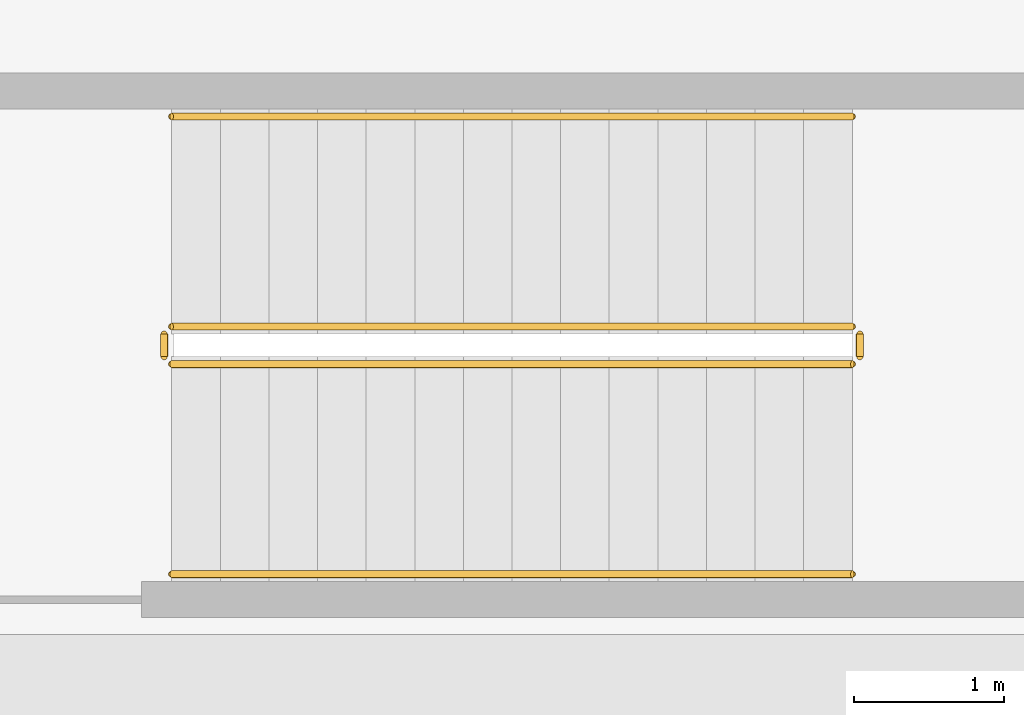
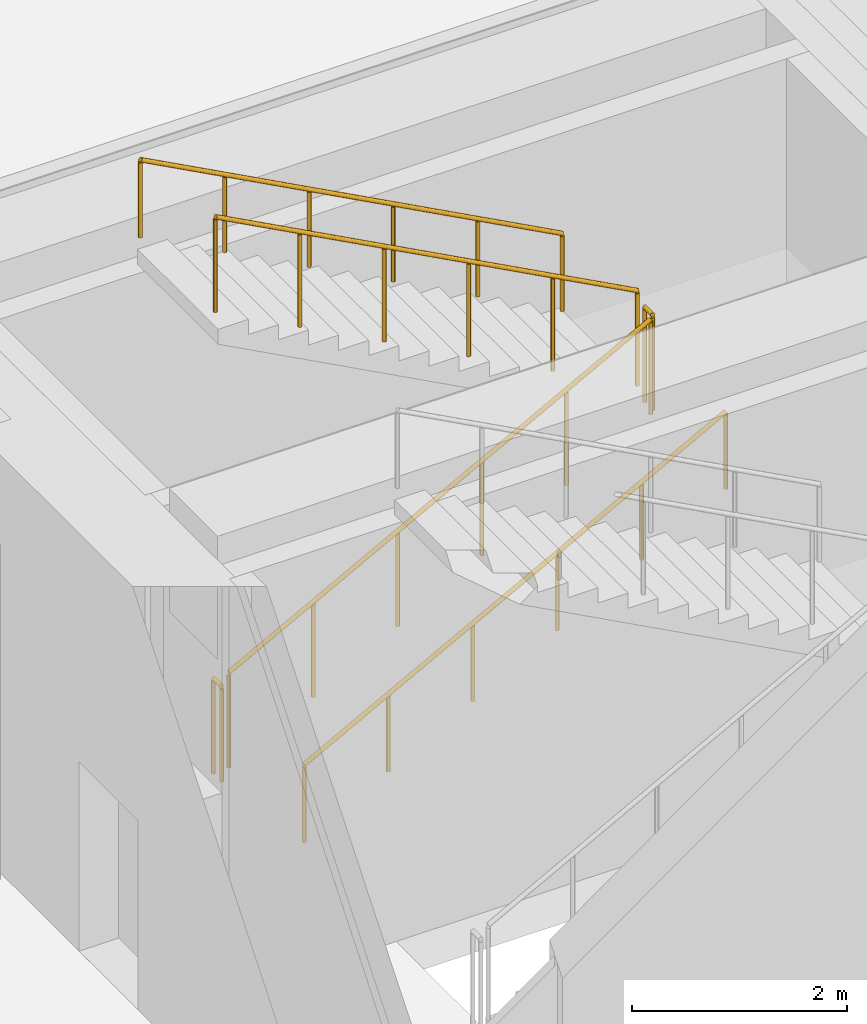
# One storey, part 15 of 16: 6 railings.
"""IFC4 building model written with IfcOpenShell, lengths in metres."""

from ifc_helpers import new_model, si_unit, direction, frame, origin, origin_2d, place, context, subcontext, project, spatial, circle, extrude, material, type_object, element, save


model = new_model("IFC4")

# Units and contexts
model_context = context("Model", 3, precision=1e-05, world=origin(), true_north=direction((0.0, 1.0)))
body_context = subcontext(model_context, "Body", "Model", "MODEL_VIEW")
ifc_project = project(units=[si_unit("LENGTHUNIT", "METRE"), si_unit("AREAUNIT", "SQUARE_METRE"), si_unit("VOLUMEUNIT", "CUBIC_METRE"), si_unit("PLANEANGLEUNIT", "RADIAN"), si_unit("MASSUNIT", "GRAM", prefix="KILO")], contexts=[model_context])

# Site, building, storey
site_placement = place(None, origin())
site = spatial("IfcSite", under=ifc_project, at=site_placement, CompositionType="ELEMENT")
building_placement = place(site_placement, origin())
building = spatial("IfcBuilding", under=site, at=building_placement, Name="Kolvaren Arena Tower", CompositionType="ELEMENT")
storey_placement = place(building_placement, frame((0.0, 0.0, 94.5)))
storey = spatial("IfcBuildingStorey", under=building, at=storey_placement, Name="L21", CompositionType="ELEMENT", Elevation=94.5)

# Railings
ifc_material_1 = material(Name="Painted galvanized steel", Category="steel")
railing_type_1 = type_object("IfcRailingType", Name="GUARD-ST-110", PredefinedType="GUARDRAIL", material=ifc_material_1)
railing_1_placement = place(storey_placement, frame((52.679931640625, 36.39990234375, 0.17333984375)))
element("IfcRailing", 1, at=railing_1_placement, inside=storey, type_object=railing_type_1, Name="L21 ST-E2 stair guard 1", PredefinedType="GUARDRAIL", context=body_context, shape_type="SweptSolid", body=[
    extrude(circle(Radius=0.02392578125, at=origin_2d()), frame((0.0, 0.0, 1.076171875), z_axis=(0.88174791909, 0.0, 0.471720899664), x_axis=(0.0, 1.0, 0.0)), (0.0, 0.0, 1.0), 5.14453125),
    extrude(circle(Radius=0.02099609375, at=origin_2d()), origin(), (0.0, 0.0, 1.0), 1.052001953125),
    extrude(circle(Radius=0.02099609375, at=origin_2d()), frame((0.9072265625, 0.0, 0.4853515625)), (0.0, 0.0, 1.0), 1.052001953125),
    extrude(circle(Radius=0.02099609375, at=origin_2d()), frame((1.814453125, 0.0, 0.970703125)), (0.0, 0.0, 1.0), 1.052001953125),
    extrude(circle(Radius=0.02099609375, at=origin_2d()), frame((2.7216796875, 0.0, 1.4560546875)), (0.0, 0.0, 1.0), 1.052001953125),
    extrude(circle(Radius=0.02099609375, at=origin_2d()), frame((3.62890625, 0.0, 1.94140625)), (0.0, 0.0, 1.0), 1.052001953125),
    extrude(circle(Radius=0.02099609375, at=origin_2d()), frame((4.5361328125, 0.0, 2.4267578125)), (0.0, 0.0, 1.0), 1.052001953125),
])
railing_2_placement = place(storey_placement, frame((57.26611328125, 36.449951171875, 2.60009765625)))
element("IfcRailing", 2, at=railing_2_placement, inside=storey, type_object=railing_type_1, Name="L21 ST-E2 stair guard 2", PredefinedType="GUARDRAIL", context=body_context, shape_type="SweptSolid", body=[
    extrude(circle(Radius=0.02392578125, at=origin_2d()), frame((0.0, 0.0, 1.076171875), z_axis=(0.0, 1.0, 0.0), x_axis=(-1.0, 0.0, 0.0)), (0.0, 0.0, 1.0), 0.150146484375),
    extrude(circle(Radius=0.02099609375, at=origin_2d()), origin(), (0.0, 0.0, 1.0), 1.052001953125),
    extrude(circle(Radius=0.02099609375, at=origin_2d()), frame((0.0, 0.150146484375, 0.0)), (0.0, 0.0, 1.0), 1.052001953125),
])
railing_3_placement = place(storey_placement, frame((57.216064453125, 36.64990234375, 2.7734375)))
element("IfcRailing", 3, at=railing_3_placement, inside=storey, type_object=railing_type_1, Name="L21 ST-E2 stair guard 3", PredefinedType="GUARDRAIL", context=body_context, shape_type="SweptSolid", body=[
    extrude(circle(Radius=0.02392578125, at=origin_2d()), frame((0.0, 0.0, 1.076171875), z_axis=(-0.881767657903, 0.0, 0.471684001717), x_axis=(0.0, -1.0, 0.0)), (0.0, 0.0, 1.0), 5.144287109375),
    extrude(circle(Radius=0.02099609375, at=origin_2d()), origin(), (0.0, 0.0, 1.0), 1.052001953125),
    extrude(circle(Radius=0.02099609375, at=origin_2d()), frame((-0.9072265625, 0.0, 0.4853515625)), (0.0, 0.0, 1.0), 1.052001953125),
    extrude(circle(Radius=0.02099609375, at=origin_2d()), frame((-1.814453125, 0.0, 0.970703125)), (0.0, 0.0, 1.0), 1.052001953125),
    extrude(circle(Radius=0.02099609375, at=origin_2d()), frame((-2.7216796875, 0.0, 1.455810546875)), (0.0, 0.0, 1.0), 1.052001953125),
    extrude(circle(Radius=0.02099609375, at=origin_2d()), frame((-3.62890625, 0.0, 1.941162109375)), (0.0, 0.0, 1.0), 1.052001953125),
    extrude(circle(Radius=0.02099609375, at=origin_2d()), frame((-4.5361328125, 0.0, 2.426513671875)), (0.0, 0.0, 1.0), 1.052001953125),
])
railing_4_placement = place(storey_placement, frame((52.6298828125, 36.449951171875, 0.0)))
element("IfcRailing", 4, at=railing_4_placement, inside=storey, type_object=railing_type_1, Name="L21 ST-E2 stair guard 4", PredefinedType="GUARDRAIL", context=body_context, shape_type="SweptSolid", body=[
    extrude(circle(Radius=0.02392578125, at=origin_2d()), frame((0.0, 0.0, 1.076171875), z_axis=(0.0, 1.0, 0.0), x_axis=(-1.0, 0.0, 0.0)), (0.0, 0.0, 1.0), 0.150146484375),
    extrude(circle(Radius=0.02099609375, at=origin_2d()), origin(), (0.0, 0.0, 1.0), 1.052001953125),
    extrude(circle(Radius=0.02099609375, at=origin_2d()), frame((0.0, 0.150146484375, 0.0)), (0.0, 0.0, 1.0), 1.052001953125),
])
ifc_material_2 = material(Name="Brushed stainless steel handrail", Category="steel")
railing_type_2 = type_object("IfcRailingType", Name="HRAIL-900", PredefinedType="HANDRAIL", material=ifc_material_2)
railing_5_placement = place(storey_placement, frame((52.679931640625, 35.0, 0.17333984375)))
element("IfcRailing", 5, at=railing_5_placement, inside=storey, type_object=railing_type_2, Name="L21 ST-E2 stair handrail 1", PredefinedType="HANDRAIL", context=body_context, shape_type="SweptSolid", body=[
    extrude(circle(Radius=0.02392578125, at=origin_2d()), frame((0.0, 0.0, 0.8759765625), z_axis=(0.88174791909, 0.0, 0.471720899664), x_axis=(0.0, 1.0, 0.0)), (0.0, 0.0, 1.0), 5.14453125),
    extrude(circle(Radius=0.02099609375, at=origin_2d()), origin(), (0.0, 0.0, 1.0), 0.851806640625),
    extrude(circle(Radius=0.02099609375, at=origin_2d()), frame((0.9072265625, 0.0, 0.4853515625)), (0.0, 0.0, 1.0), 0.851806640625),
    extrude(circle(Radius=0.02099609375, at=origin_2d()), frame((1.814453125, 0.0, 0.970703125)), (0.0, 0.0, 1.0), 0.851806640625),
    extrude(circle(Radius=0.02099609375, at=origin_2d()), frame((2.7216796875, 0.0, 1.4560546875)), (0.0, 0.0, 1.0), 0.851806640625),
    extrude(circle(Radius=0.02099609375, at=origin_2d()), frame((3.62890625, 0.0, 1.94140625)), (0.0, 0.0, 1.0), 0.851806640625),
    extrude(circle(Radius=0.02099609375, at=origin_2d()), frame((4.5361328125, 0.0, 2.4267578125)), (0.0, 0.0, 1.0), 0.851806640625),
])
railing_6_placement = place(storey_placement, frame((57.216064453125, 38.050048828125, 2.7734375)))
element("IfcRailing", 6, at=railing_6_placement, inside=storey, type_object=railing_type_2, Name="L21 ST-E2 stair handrail 2", PredefinedType="HANDRAIL", context=body_context, shape_type="SweptSolid", body=[
    extrude(circle(Radius=0.02392578125, at=origin_2d()), frame((0.0, 0.0, 0.8759765625), z_axis=(-0.881767657903, 0.0, 0.471684001717), x_axis=(0.0, -1.0, 0.0)), (0.0, 0.0, 1.0), 5.144287109375),
    extrude(circle(Radius=0.02099609375, at=origin_2d()), origin(), (0.0, 0.0, 1.0), 0.851806640625),
    extrude(circle(Radius=0.02099609375, at=origin_2d()), frame((-0.9072265625, 0.0, 0.4853515625)), (0.0, 0.0, 1.0), 0.851806640625),
    extrude(circle(Radius=0.02099609375, at=origin_2d()), frame((-1.814453125, 0.0, 0.970703125)), (0.0, 0.0, 1.0), 0.851806640625),
    extrude(circle(Radius=0.02099609375, at=origin_2d()), frame((-2.7216796875, 0.0, 1.455810546875)), (0.0, 0.0, 1.0), 0.851806640625),
    extrude(circle(Radius=0.02099609375, at=origin_2d()), frame((-3.62890625, 0.0, 1.941162109375)), (0.0, 0.0, 1.0), 0.851806640625),
    extrude(circle(Radius=0.02099609375, at=origin_2d()), frame((-4.5361328125, 0.0, 2.426513671875)), (0.0, 0.0, 1.0), 0.851806640625),
])

save(model, "model.ifc")
